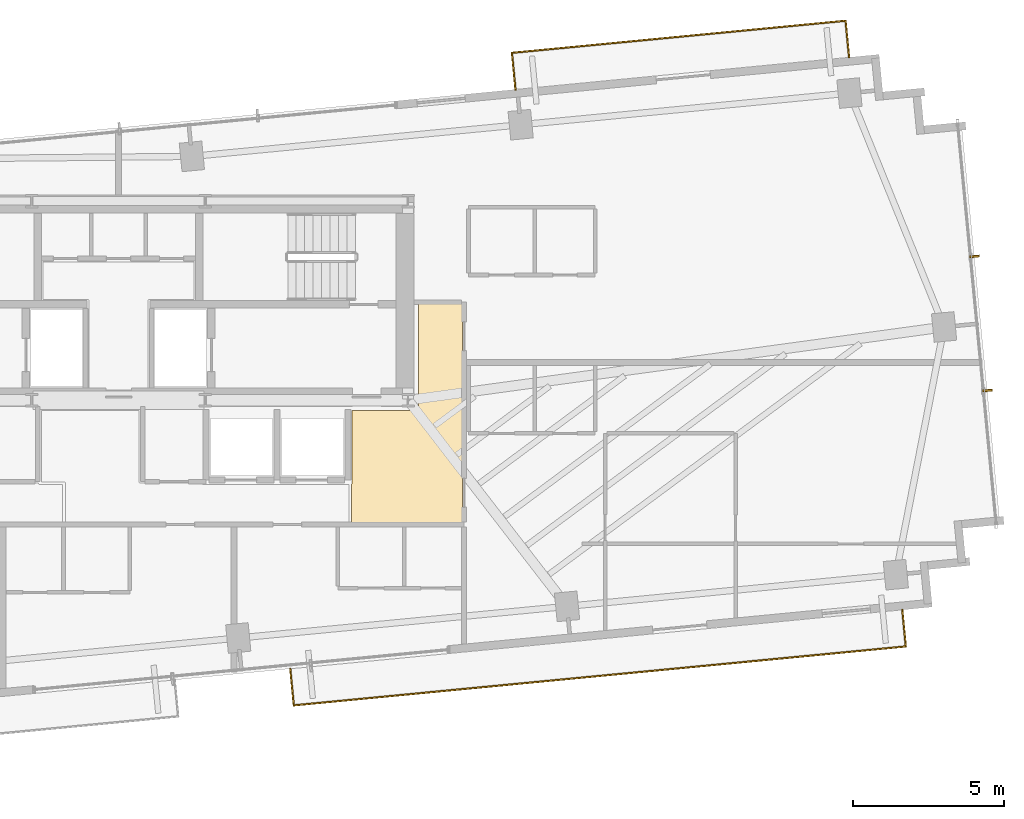
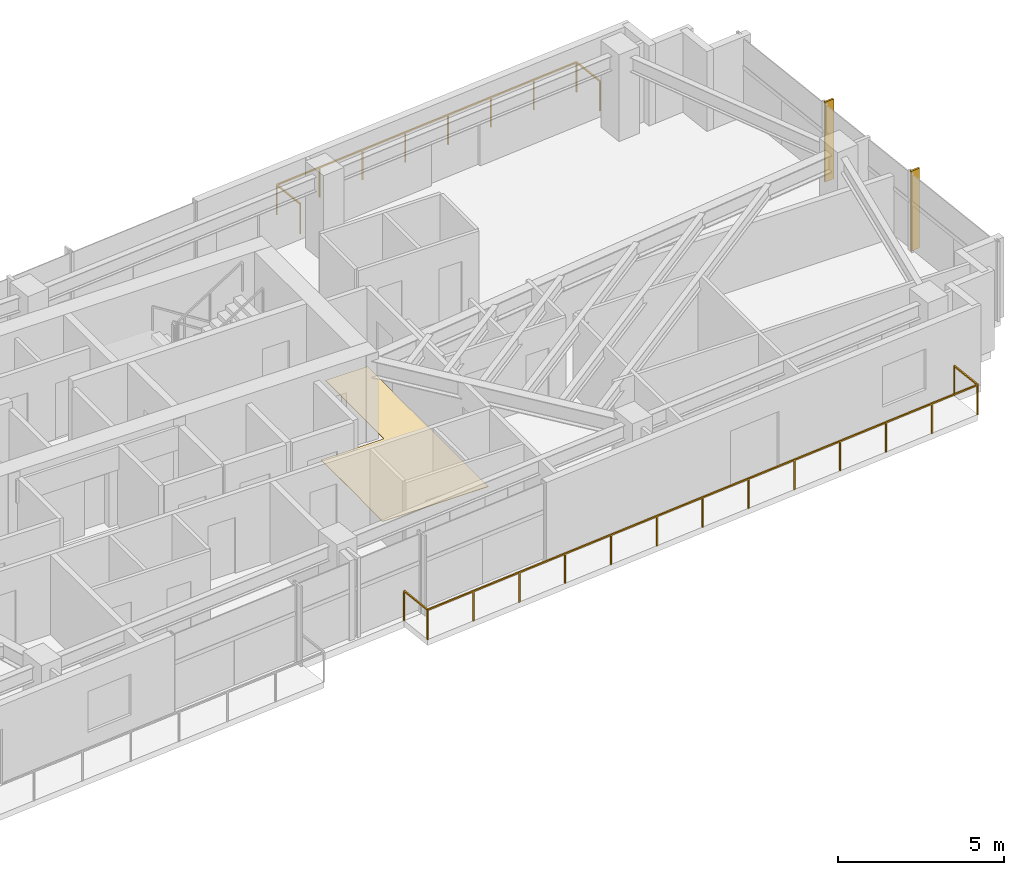
# One storey, part 18 of 18: 2 railings, 2 shading devices, 1 covering.
"""IFC4 building model written with IfcOpenShell, lengths in metres."""

from ifc_helpers import new_model, si_unit, direction, frame, origin, origin_2d, place, context, subcontext, project, spatial, polyline, rectangle, outline, extrude, source, transform, mapped, material, layer, layer_set, type_object, type_shapes, element, save


model = new_model("IFC4")

# Units and contexts
model_context = context("Model", 3, precision=1e-05, world=origin(), true_north=direction((0.0, 1.0)))
body_context = subcontext(model_context, "Body", "Model", "MODEL_VIEW")
ifc_project = project(units=[si_unit("LENGTHUNIT", "METRE"), si_unit("AREAUNIT", "SQUARE_METRE"), si_unit("VOLUMEUNIT", "CUBIC_METRE"), si_unit("PLANEANGLEUNIT", "RADIAN"), si_unit("MASSUNIT", "GRAM", prefix="KILO")], contexts=[model_context])

# Site, building, storey
site_placement = place(None, origin())
site = spatial("IfcSite", under=ifc_project, at=site_placement, CompositionType="ELEMENT")
building_placement = place(site_placement, origin())
building = spatial("IfcBuilding", under=site, at=building_placement, Name="Astriad Promenade Condominiums", CompositionType="ELEMENT")
storey_placement = place(building_placement, frame((0.0, 0.0, 205.0)))
storey = spatial("IfcBuildingStorey", under=building, at=storey_placement, Name="L59", CompositionType="ELEMENT", Elevation=205.0)

# Covering
ifc_material_1 = material(Name="Polished Lakefront Terrazzo Flooring")
ifc_layer = layer(ifc_material_1, 0.02001953125)
ifc_layer_set = layer_set([ifc_layer], Name="Polished Lakefront Terrazzo Flooring")
covering_type = type_object("IfcCoveringType", Name="COV-FLOR-TERRAZZO-20", PredefinedType="FLOORING", material=ifc_layer_set)
covering_placement = place(storey_placement, origin())
element("IfcCovering", 1, at=covering_placement, inside=storey, type_object=covering_type, Name="FLR-L59-COR-2", PredefinedType="FLOORING", context=body_context, shape_type="SweptSolid", body=[
    extrude(outline(polyline([(43.72998046875, 14.62353515625), (43.73095703125, 14.62451171875), (43.7333984375, 14.627685546875), (43.7353515625, 14.631103515625), (43.737060546875, 14.634765625), (43.73828125, 14.638427734375), (43.7392578125, 14.64208984375), (43.73974609375, 14.64599609375), (43.739990234375, 14.64990234375), (43.739990234375, 17.06005859375), (45.89990234375, 17.06005859375), (45.90380859375, 17.060302734375), (45.90771484375, 17.060791015625), (45.91162109375, 17.061767578125), (45.915283203125, 17.06298828125), (45.9189453125, 17.064697265625), (45.922119140625, 17.066650390625), (45.92529296875, 17.069091796875), (45.92822265625, 17.07177734375), (45.930908203125, 17.07470703125), (45.933349609375, 17.077880859375), (45.935302734375, 17.0810546875), (45.93701171875, 17.084716796875), (45.938232421875, 17.08837890625), (45.939208984375, 17.09228515625), (45.939697265625, 17.09619140625), (45.93994140625, 17.10009765625), (45.93994140625, 20.610107421875), (47.409912109375, 20.610107421875), (47.409912109375, 13.320068359375), (43.72998046875, 13.320068359375), (43.72998046875, 14.62353515625)])), origin(), (0.0, 0.0, 1.0), 0.02001953125),
])

# Shading devices
ifc_material_2 = material(Name="Anodised aluminium 6063-T6 Black Fin", Category="aluminium")
shading_device_type = type_object("IfcShadingDeviceType", Name="FIN-BLACK-260", PredefinedType="USERDEFINED", material=ifc_material_2)
shared_shape_1 = source(origin(), body_context, "Body", "SweptSolid", [
    extrude(rectangle(XDim=0.06494140625, YDim=0.320068359375, at=origin_2d()), origin(), (0.0, 0.0, 1.0), 2.93994140625),
])
type_shapes(shading_device_type, [shared_shape_1])
for number, where, z_axis, x_axis, name in (
    (2, (64.37841796875, 22.16796875, 0.0), (0.0, 0.0, 1.0), (0.09584575252, -0.995396198367, 0.0), "CW-L59-E-FIN-01"),
    (3, (64.806640625, 17.721923828125, 0.0), (0.0, 0.0, 1.0), (0.09584575252, -0.995396198367, 0.0), "CW-L59-E-FIN-02"),
):
    element("IfcShadingDevice", number, at=place(storey_placement, frame(where, z_axis=z_axis, x_axis=x_axis)), inside=storey, type_object=shading_device_type, Name=name, ObjectType="FIN", PredefinedType="USERDEFINED", context=body_context, shape_type="MappedRepresentation", body=[
        mapped(shared_shape_1, transform((0.0, 0.0, 0.0), scale=1.0)),
    ])

# Railings
ifc_material_3 = material(Name="Laminated Glass and Stainless Steel Balustrade", Category="steel")
railing_type = type_object("IfcRailingType", Name="GRD-BALC-1120", PredefinedType="BALUSTRADE", material=ifc_material_3)
shared_shape_2 = source(origin(), body_context, "Body", "SweptSolid", [
    extrude(rectangle(XDim=0.048095703125, YDim=0.048095703125, at=origin_2d()), frame((0.0, 0.0, 1.09619140625), z_axis=(0.095876405589, -0.995393246336, 0.0), x_axis=(0.995393246336, 0.095876405589, 0.0)), (0.0, 0.0, 1.0), 1.2197265625),
    extrude(rectangle(XDim=0.048095703125, YDim=0.048095703125, at=origin_2d()), frame((0.116943359375, -1.214111328125, 1.09619140625), z_axis=(0.995396644248, 0.09584112176, 0.0), x_axis=(-0.09584112176, 0.995396644248, 0.0)), (0.0, 0.0, 1.0), 20.3837890625),
    extrude(rectangle(XDim=0.048095703125, YDim=0.048095703125, at=origin_2d()), frame((20.406982421875, 0.739501953125, 1.09619140625), z_axis=(-0.095857307208, 0.99539508571, 0.0), x_axis=(-0.99539508571, -0.095857307208, 0.0)), (0.0, 0.0, 1.0), 1.219970703125),
    extrude(rectangle(XDim=0.0419921875, YDim=0.0419921875, at=origin_2d()), origin(), (0.0, 0.0, 1.0), 1.072021484375),
    extrude(rectangle(XDim=0.0419921875, YDim=0.0419921875, at=origin_2d()), frame((0.116943359375, -1.214111328125, 0.0)), (0.0, 0.0, 1.0), 1.072021484375),
    extrude(rectangle(XDim=0.0419921875, YDim=0.0419921875, at=origin_2d()), frame((1.807861328125, -1.05126953125, 0.0)), (0.0, 0.0, 1.0), 1.072021484375),
    extrude(rectangle(XDim=0.0419921875, YDim=0.0419921875, at=origin_2d()), frame((3.49853515625, -0.888427734375, 0.0)), (0.0, 0.0, 1.0), 1.072021484375),
    extrude(rectangle(XDim=0.0419921875, YDim=0.0419921875, at=origin_2d()), frame((5.189453125, -0.7255859375, 0.0)), (0.0, 0.0, 1.0), 1.072021484375),
    extrude(rectangle(XDim=0.0419921875, YDim=0.0419921875, at=origin_2d()), frame((6.88037109375, -0.56298828125, 0.0)), (0.0, 0.0, 1.0), 1.072021484375),
    extrude(rectangle(XDim=0.0419921875, YDim=0.0419921875, at=origin_2d()), frame((8.571044921875, -0.400146484375, 0.0)), (0.0, 0.0, 1.0), 1.072021484375),
    extrude(rectangle(XDim=0.0419921875, YDim=0.0419921875, at=origin_2d()), frame((10.261962890625, -0.2373046875, 0.0)), (0.0, 0.0, 1.0), 1.072021484375),
    extrude(rectangle(XDim=0.0419921875, YDim=0.0419921875, at=origin_2d()), frame((11.952880859375, -0.074462890625, 0.0)), (0.0, 0.0, 1.0), 1.072021484375),
    extrude(rectangle(XDim=0.0419921875, YDim=0.0419921875, at=origin_2d()), frame((13.6435546875, 0.08837890625, 0.0)), (0.0, 0.0, 1.0), 1.072021484375),
    extrude(rectangle(XDim=0.0419921875, YDim=0.0419921875, at=origin_2d()), frame((15.33447265625, 0.2509765625, 0.0)), (0.0, 0.0, 1.0), 1.072021484375),
    extrude(rectangle(XDim=0.0419921875, YDim=0.0419921875, at=origin_2d()), frame((17.025390625, 0.413818359375, 0.0)), (0.0, 0.0, 1.0), 1.072021484375),
    extrude(rectangle(XDim=0.0419921875, YDim=0.0419921875, at=origin_2d()), frame((18.716064453125, 0.57666015625, 0.0)), (0.0, 0.0, 1.0), 1.072021484375),
    extrude(rectangle(XDim=0.0419921875, YDim=0.0419921875, at=origin_2d()), frame((20.406982421875, 0.739501953125, 0.0)), (0.0, 0.0, 1.0), 1.072021484375),
    extrude(rectangle(XDim=0.0419921875, YDim=0.0419921875, at=origin_2d()), frame((20.2900390625, 1.953857421875, 0.0)), (0.0, 0.0, 1.0), 1.072021484375),
])
railing_1_placement = place(storey_placement, frame((41.6923828125, 8.497314453125, 0.0)))
element("IfcRailing", 4, at=railing_1_placement, inside=storey, type_object=railing_type, Name="GRD-BALC-L59-SE", PredefinedType="BALUSTRADE", context=body_context, shape_type="MappedRepresentation", body=[
    mapped(shared_shape_2, transform((0.0, 0.0, 0.0), scale=1.0)),
])
shared_shape_3 = source(origin(), body_context, "Body", "SweptSolid", [
    extrude(rectangle(XDim=0.048095703125, YDim=0.048095703125, at=origin_2d()), frame((0.0, 0.0, 1.09619140625), z_axis=(-0.095857307208, 0.99539508571, 0.0), x_axis=(-0.99539508571, -0.095857307208, 0.0)), (0.0, 0.0, 1.0), 1.219970703125),
    extrude(rectangle(XDim=0.048095703125, YDim=0.048095703125, at=origin_2d()), frame((-0.116943359375, 1.21435546875, 1.09619140625), z_axis=(-0.995396985073, -0.09583758192, 0.0), x_axis=(0.09583758192, -0.995396985073, 0.0)), (0.0, 0.0, 1.0), 11.112060546875),
    extrude(rectangle(XDim=0.048095703125, YDim=0.048095703125, at=origin_2d()), frame((-11.177734375, 0.1494140625, 1.09619140625), z_axis=(0.095857307208, -0.99539508571, 0.0), x_axis=(0.99539508571, 0.095857307208, 0.0)), (0.0, 0.0, 1.0), 1.219970703125),
    extrude(rectangle(XDim=0.0419921875, YDim=0.0419921875, at=origin_2d()), origin(), (0.0, 0.0, 1.0), 1.072021484375),
    extrude(rectangle(XDim=0.0419921875, YDim=0.0419921875, at=origin_2d()), frame((-0.116943359375, 1.21435546875, 0.0)), (0.0, 0.0, 1.0), 1.072021484375),
    extrude(rectangle(XDim=0.0419921875, YDim=0.0419921875, at=origin_2d()), frame((-1.697021484375, 1.062255859375, 0.0)), (0.0, 0.0, 1.0), 1.072021484375),
    extrude(rectangle(XDim=0.0419921875, YDim=0.0419921875, at=origin_2d()), frame((-3.277099609375, 0.91015625, 0.0)), (0.0, 0.0, 1.0), 1.072021484375),
    extrude(rectangle(XDim=0.0419921875, YDim=0.0419921875, at=origin_2d()), frame((-4.857177734375, 0.758056640625, 0.0)), (0.0, 0.0, 1.0), 1.072021484375),
    extrude(rectangle(XDim=0.0419921875, YDim=0.0419921875, at=origin_2d()), frame((-6.4375, 0.605712890625, 0.0)), (0.0, 0.0, 1.0), 1.072021484375),
    extrude(rectangle(XDim=0.0419921875, YDim=0.0419921875, at=origin_2d()), frame((-8.017578125, 0.45361328125, 0.0)), (0.0, 0.0, 1.0), 1.072021484375),
    extrude(rectangle(XDim=0.0419921875, YDim=0.0419921875, at=origin_2d()), frame((-9.59765625, 0.301513671875, 0.0)), (0.0, 0.0, 1.0), 1.072021484375),
    extrude(rectangle(XDim=0.0419921875, YDim=0.0419921875, at=origin_2d()), frame((-11.177734375, 0.1494140625, 0.0)), (0.0, 0.0, 1.0), 1.072021484375),
    extrude(rectangle(XDim=0.0419921875, YDim=0.0419921875, at=origin_2d()), frame((-11.060791015625, -1.06494140625, 0.0)), (0.0, 0.0, 1.0), 1.072021484375),
])
type_shapes(railing_type, [shared_shape_2, shared_shape_3])
railing_2_placement = place(storey_placement, frame((60.218994140625, 28.766357421875, 0.0)))
element("IfcRailing", 5, at=railing_2_placement, inside=storey, type_object=railing_type, Name="GRD-BALC-L59-NE", PredefinedType="BALUSTRADE", context=body_context, shape_type="MappedRepresentation", body=[
    mapped(shared_shape_3, transform((0.0, 0.0, 0.0), scale=1.0)),
])

save(model, "model.ifc")
